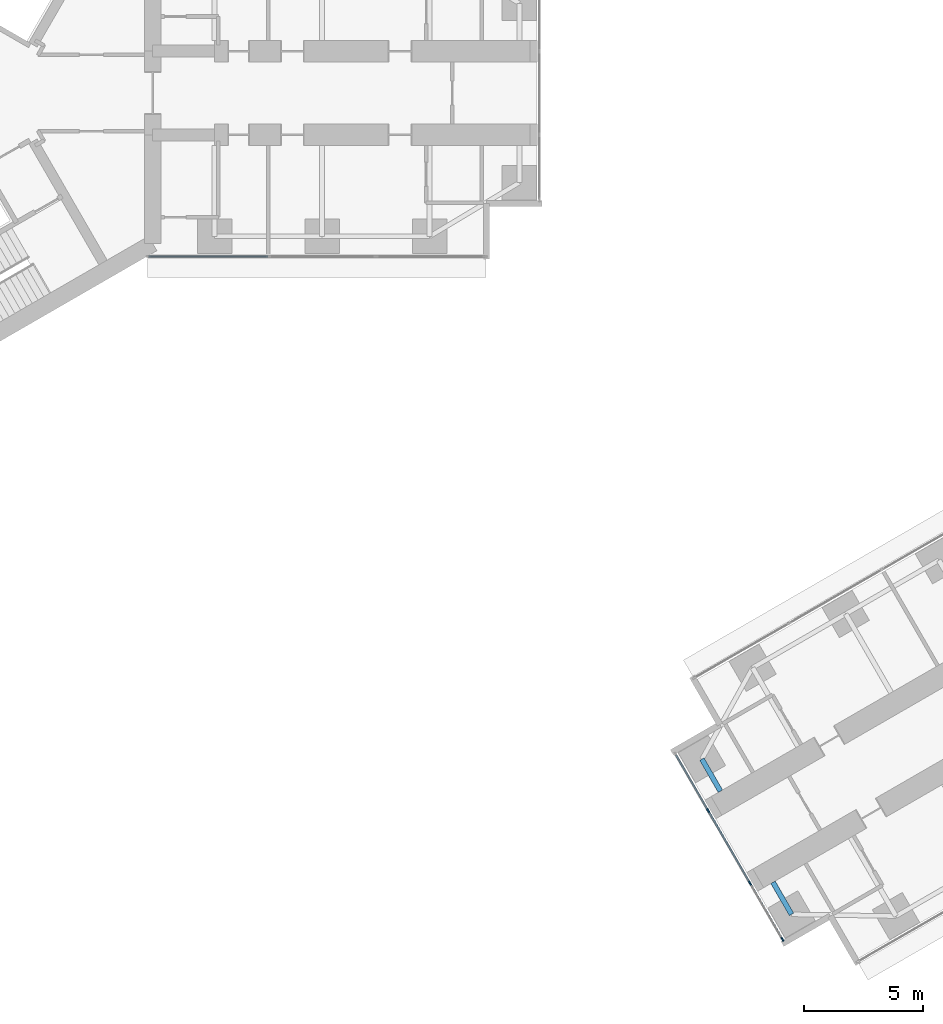
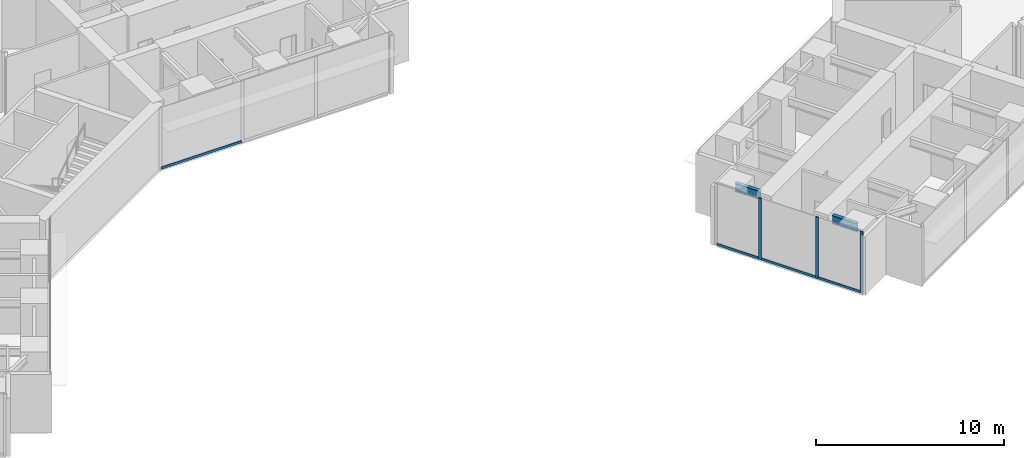
# One storey, part 3 of 24: 7 members, 2 beams, 2 elements without a shape of their own.
"""IFC4 building model written with IfcOpenShell, lengths in metres."""

from ifc_helpers import new_model, si_unit, direction, frame, origin, origin_2d, place, context, subcontext, project, spatial, rectangle, i_section, extrude, material, material_profile, profile_set, type_object, element, aggregate, save


model = new_model("IFC4")

# Units and contexts
model_context = context("Model", 3, precision=1e-05, world=origin(), true_north=direction((0.0, 1.0)))
body_context = subcontext(model_context, "Body", "Model", "MODEL_VIEW")
ifc_project = project(units=[si_unit("LENGTHUNIT", "METRE"), si_unit("AREAUNIT", "SQUARE_METRE"), si_unit("VOLUMEUNIT", "CUBIC_METRE"), si_unit("PLANEANGLEUNIT", "RADIAN"), si_unit("MASSUNIT", "GRAM", prefix="KILO")], contexts=[model_context])

# Site, building, storey
site_placement = place(None, origin())
site = spatial("IfcSite", under=ifc_project, at=site_placement, CompositionType="ELEMENT")
building_placement = place(site_placement, origin())
building = spatial("IfcBuilding", under=site, at=building_placement, Name="Upepo Twin Towers", CompositionType="ELEMENT")
storey_placement = place(building_placement, frame((0.0, 0.0, 52.5)))
storey = spatial("IfcBuildingStorey", under=building, at=storey_placement, Name="L12", CompositionType="ELEMENT", Elevation=52.5)

# Beams
ifc_material_1 = material(Name="Steel S355", Category="steel")
ifc_material_profile_1 = material_profile(ifc_material_1, i_section(OverallWidth=0.2119140625, OverallDepth=0.54443359375, WebThickness=0.0126953125, FlangeThickness=0.021240234375, FilletRadius=0.0126953125, at=origin_2d()), Name="UB 533x210x122")
ifc_profile_set_1 = profile_set([ifc_material_profile_1], Name="Steel S355")
beam_type = type_object("IfcBeamType", Name="Beam UB 533x210x122", PredefinedType="BEAM", material=ifc_profile_set_1)
for number, where, z_axis, x_axis, name in (
    (1, (37.641845703125, -34.37255859375, 3.52783203125), (-0.499967891604, 0.866043940782, 0.0), (-0.866043940782, -0.499967891604, 0.0), "T2 nose beam BL"),
    (2, (33.891845703125, -27.87744140625, 3.52783203125), (0.499967891604, -0.866043940782, 0.0), (0.866043940782, 0.499967891604, 0.0), "T2 nose beam BR"),
):
    element("IfcBeam", number, at=place(storey_placement, frame(where, z_axis=z_axis, x_axis=x_axis)), inside=storey, type_object=beam_type, Name=name, PredefinedType="BEAM", context=body_context, shape_type="SweptSolid", body=[
        extrude(i_section(OverallWidth=0.2119140625, OverallDepth=0.54443359375, WebThickness=0.0126953125, FlangeThickness=0.021240234375, FilletRadius=0.0126953125, at=origin_2d()), origin(), (0.0, 0.0, 1.0), 1.5498046875),
    ])

# Curtain wall, members
ifc_material_2 = material(Name="Aluminium and fritted glass", Category="aluminium")
curtain_wall_type = type_object("IfcCurtainWallType", Name="Tower curtain wall TW1, fritted glass", PredefinedType="NOTDEFINED", material=ifc_material_2)
curtain_wall_1_placement = place(storey_placement, origin())
curtain_wall_1 = element("IfcCurtainWall", 3, at=curtain_wall_1_placement, inside=storey, type_object=curtain_wall_type, Name="T2 L12 wing B nose curtain wall", PredefinedType="NOTDEFINED")
ifc_material_3 = material(Name="Aluminium mullion", Category="aluminium")
ifc_material_profile_2 = material_profile(ifc_material_3, rectangle(XDim=0.06494140625, YDim=0.179931640625, at=origin_2d()), Name="MULLION 65x180")
ifc_profile_set_2 = profile_set([ifc_material_profile_2], Name="Aluminium mullion")
member_type_1 = type_object("IfcMemberType", Name="Mullion 65x180 TW1", PredefinedType="MULLION", material=ifc_profile_set_2)
member_1_placement = place(storey_placement, frame((34.15576171875, -30.034423828125, 0.0), z_axis=(0.0, 0.0, 1.0), x_axis=(0.866025386174, 0.500000030502, 0.0)))
member_1 = element("IfcMember", 4, at=member_1_placement, type_object=member_type_1, Name="T2 L12 wing B nose curtain wall mullion 2", PredefinedType="MULLION", context=body_context, shape_type="SweptSolid", body=[
    extrude(rectangle(XDim=0.06494140625, YDim=0.179931640625, at=origin_2d()), origin(), (0.0, 0.0, 1.0), 4.0),
])
member_2_placement = place(storey_placement, frame((35.90576171875, -33.0654296875, 0.0), z_axis=(0.0, 0.0, 1.0), x_axis=(0.866025386174, 0.500000030502, 0.0)))
member_2 = element("IfcMember", 5, at=member_2_placement, type_object=member_type_1, Name="T2 L12 wing B nose curtain wall mullion 3", PredefinedType="MULLION", context=body_context, shape_type="SweptSolid", body=[
    extrude(rectangle(XDim=0.06494140625, YDim=0.179931640625, at=origin_2d()), origin(), (0.0, 0.0, 1.0), 4.0),
])
member_3_placement = place(storey_placement, frame((37.264404296875, -35.4189453125, 0.0), z_axis=(0.0, 0.0, 1.0), x_axis=(0.866025386174, 0.500000030502, 0.0)))
member_3 = element("IfcMember", 6, at=member_3_placement, type_object=member_type_1, Name="T2 L12 wing B nose curtain wall mullion 4", PredefinedType="MULLION", context=body_context, shape_type="SweptSolid", body=[
    extrude(rectangle(XDim=0.06494140625, YDim=0.179931640625, at=origin_2d()), origin(), (0.0, 0.0, 1.0), 4.0),
])

# Curtain wall, member
curtain_wall_2_placement = place(storey_placement, origin())
curtain_wall_2 = element("IfcCurtainWall", 7, at=curtain_wall_2_placement, inside=storey, type_object=curtain_wall_type, Name="T1 L12 wing A flank R curtain wall", PredefinedType="NOTDEFINED")
ifc_material_4 = material(Name="Aluminium transom", Category="aluminium")
ifc_material_profile_3 = material_profile(ifc_material_4, rectangle(XDim=0.06494140625, YDim=0.14990234375, at=origin_2d()), Name="TRANSOM 65x150")
ifc_profile_set_3 = profile_set([ifc_material_profile_3], Name="Aluminium transom")
member_type_2 = type_object("IfcMemberType", Name="Transom 65x150 TW1", PredefinedType="USERDEFINED", material=ifc_profile_set_3)
member_4_placement = place(storey_placement, frame((15.717529296875, -6.85009765625, 0.074951171875), z_axis=(-1.0, 0.0, 0.0), x_axis=(0.0, -1.0, 0.0)))
member_4 = element("IfcMember", 8, at=member_4_placement, type_object=member_type_2, Name="T1 L12 wing A flank R curtain wall transom 3", ObjectType="TRANSOM", PredefinedType="USERDEFINED", context=body_context, shape_type="SweptSolid", body=[
    extrude(rectangle(XDim=0.06494140625, YDim=0.14990234375, at=origin_2d()), origin(), (0.0, 0.0, 1.0), 4.96533203125),
])
aggregate(curtain_wall_2, [member_4])

# Member
member_5_placement = place(storey_placement, frame((32.813232421875, -27.709228515625, 0.074951171875), z_axis=(0.499980071345, -0.866036909293, 0.0), x_axis=(0.866036909293, 0.499980071345, 0.0)))
member_5 = element("IfcMember", 9, at=member_5_placement, type_object=member_type_2, Name="T2 L12 wing B nose curtain wall transom 1", ObjectType="TRANSOM", PredefinedType="USERDEFINED", context=body_context, shape_type="SweptSolid", body=[
    extrude(rectangle(XDim=0.06494140625, YDim=0.14990234375, at=origin_2d()), origin(), (0.0, 0.0, 1.0), 2.65234375),
])

member_6_placement = place(storey_placement, frame((34.171875, -30.0625, 0.074951171875), z_axis=(0.499999305434, -0.866025804792, 0.0), x_axis=(0.866025804792, 0.499999305434, 0.0)))
member_6 = element("IfcMember", 10, at=member_6_placement, type_object=member_type_2, Name="T2 L12 wing B nose curtain wall transom 2", ObjectType="TRANSOM", PredefinedType="USERDEFINED", context=body_context, shape_type="SweptSolid", body=[
    extrude(rectangle(XDim=0.06494140625, YDim=0.14990234375, at=origin_2d()), origin(), (0.0, 0.0, 1.0), 3.43505859375),
])

member_7_placement = place(storey_placement, frame((35.921875, -33.09375, 0.074951171875), z_axis=(0.500049101008, -0.865997053448, 0.0), x_axis=(0.865997053448, 0.500049101008, 0.0)))
member_7 = element("IfcMember", 11, at=member_7_placement, type_object=member_type_2, Name="T2 L12 wing B nose curtain wall transom 3", ObjectType="TRANSOM", PredefinedType="USERDEFINED", context=body_context, shape_type="SweptSolid", body=[
    extrude(rectangle(XDim=0.06494140625, YDim=0.14990234375, at=origin_2d()), origin(), (0.0, 0.0, 1.0), 2.652587890625),
])

aggregate(curtain_wall_1, [member_1, member_2, member_3, member_5, member_6, member_7])

save(model, "model.ifc")
